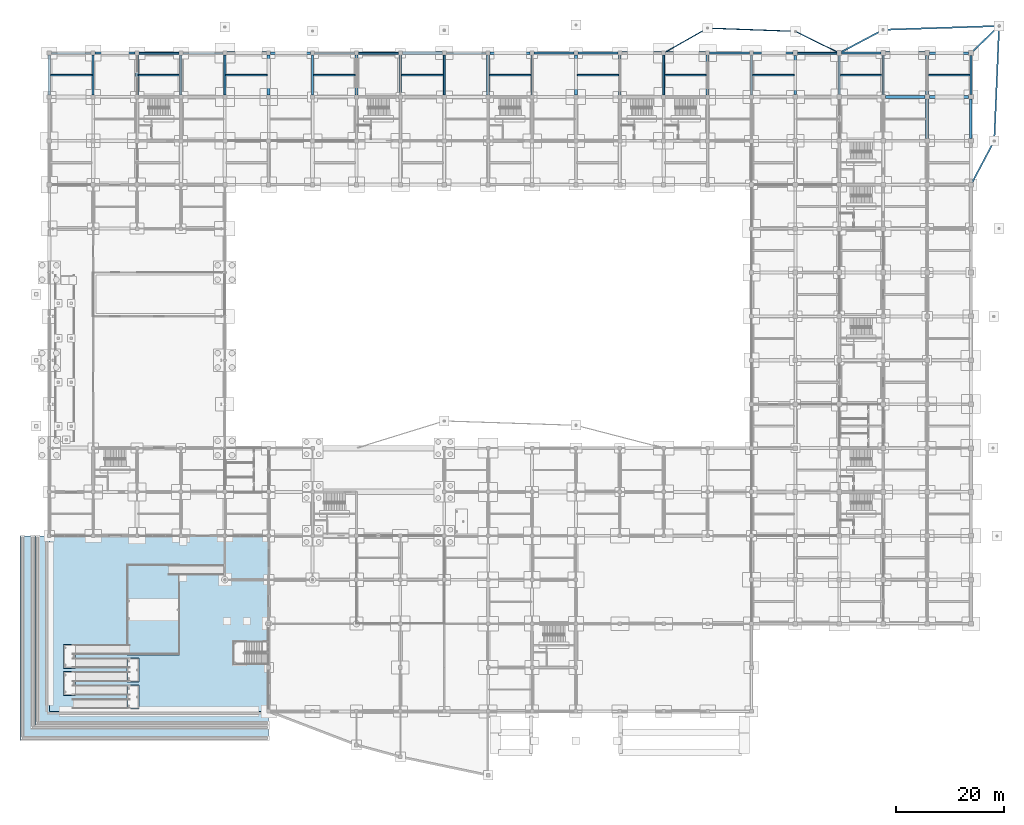
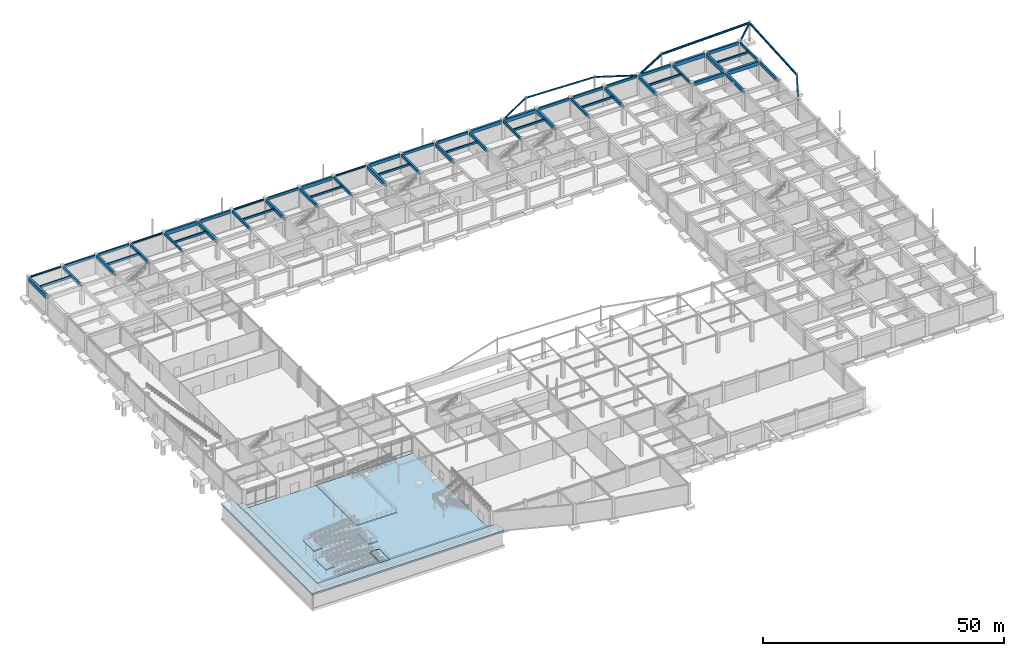
# One storey, part 42 of 67: 66 beams, 8 slabs.
"""IFC4 building model written with IfcOpenShell, lengths in metres."""

from ifc_helpers import new_model, si_unit, direction, frame, origin, origin_2d, place, context, subcontext, project, spatial, polyline, rectangle, hollow_rectangle, i_section, outline, extrude, material, layer, layer_set, material_profile, profile_set, type_object, element, save


model = new_model("IFC4")

# Units and contexts
model_context = context("Model", 3, precision=1e-05, world=origin(), true_north=direction((0.0, 1.0)))
body_context = subcontext(model_context, "Body", "Model", "MODEL_VIEW")
ifc_project = project(units=[si_unit("LENGTHUNIT", "METRE"), si_unit("AREAUNIT", "SQUARE_METRE"), si_unit("VOLUMEUNIT", "CUBIC_METRE"), si_unit("PLANEANGLEUNIT", "RADIAN"), si_unit("MASSUNIT", "GRAM", prefix="KILO")], contexts=[model_context])

# Site, building, storey
site_placement = place(None, origin())
site = spatial("IfcSite", under=ifc_project, at=site_placement, CompositionType="ELEMENT")
building_placement = place(site_placement, origin())
building = spatial("IfcBuilding", under=site, at=building_placement, Name="Vaudrelin Polytechnic", CompositionType="ELEMENT")
storey_placement = place(building_placement, frame((0.0, 0.0, -5.10009765625)))
storey = spatial("IfcBuildingStorey", under=building, at=storey_placement, Name="B1", CompositionType="ELEMENT", Elevation=-5.10009765625)

# Beams
ifc_material_1 = material(Name="Concrete 40 MPa", Category="concrete")
ifc_material_profile_1 = material_profile(ifc_material_1, rectangle(XDim=0.35009765625, YDim=0.60009765625, at=origin_2d()), Name="RC350x600")
ifc_profile_set_1 = profile_set([ifc_material_profile_1], Name="Concrete 40 MPa")
beam_type_1 = type_object("IfcBeamType", Name="BM-BM-RC3560", PredefinedType="BEAM", material=ifc_profile_set_1)
for number, where, z_axis, x_axis, name in (
    (1, (32.39990234375, 113.760009765625, 4.47998046875), (0.0, 1.0, 0.0), (-1.0, 0.0, 0.0), "B1 Y-beam 5-15"),
    (2, (72.89990234375, 113.760009765625, 4.47998046875), (0.0, 1.0, 0.0), (-1.0, 0.0, 0.0), "B1 Y-beam 10-15"),
    (3, (113.39990234375, 113.760009765625, 4.47998046875), (0.0, 1.0, 0.0), (-1.0, 0.0, 0.0), "B1 Y-beam 15-15"),
):
    element("IfcBeam", number, at=place(storey_placement, frame(where, z_axis=z_axis, x_axis=x_axis)), inside=storey, type_object=beam_type_1, Name=name, PredefinedType="BEAM", context=body_context, shape_type="SweptSolid", body=[
        extrude(rectangle(XDim=0.35009765625, YDim=0.60009765625, at=origin_2d()), origin(), (0.0, 0.0, 1.0), 7.3798828125),
    ])
beam_1_placement = place(storey_placement, frame((153.89990234375, 113.81005859375, 4.47998046875), z_axis=(0.0, 1.0, 0.0), x_axis=(-1.0, 0.0, 0.0)))
element("IfcBeam", 4, at=beam_1_placement, inside=storey, type_object=beam_type_1, Name="B1 Y-beam 20-15", PredefinedType="BEAM", context=body_context, shape_type="SweptSolid", body=[
    extrude(rectangle(XDim=0.35009765625, YDim=0.60009765625, at=origin_2d()), origin(), (0.0, 0.0, 1.0), 7.280029296875),
])
for number, where, z_axis, x_axis, name in (
    (5, (16.571044921875, 121.5, 4.47998046875), (1.0, 0.0, 0.0), (0.0, 1.0, 0.0), "B1 X-beam 3-16"),
    (6, (57.071044921875, 121.5, 4.47998046875), (1.0, 0.0, 0.0), (0.0, 1.0, 0.0), "B1 X-beam 8-16"),
):
    element("IfcBeam", number, at=place(storey_placement, frame(where, z_axis=z_axis, x_axis=x_axis)), inside=storey, type_object=beam_type_1, Name=name, PredefinedType="BEAM", context=body_context, shape_type="SweptSolid", body=[
        extrude(rectangle(XDim=0.35009765625, YDim=0.60009765625, at=origin_2d()), origin(), (0.0, 0.0, 1.0), 7.35791015625),
    ])
beam_2_placement = place(storey_placement, frame((138.12109375, 121.5, 4.47998046875), z_axis=(1.0, 0.0, 0.0), x_axis=(0.0, 1.0, 0.0)))
element("IfcBeam", 7, at=beam_2_placement, inside=storey, type_object=beam_type_1, Name="B1 X-beam 18-16", PredefinedType="BEAM", context=body_context, shape_type="SweptSolid", body=[
    extrude(rectangle(XDim=0.35009765625, YDim=0.60009765625, at=origin_2d()), origin(), (0.0, 0.0, 1.0), 7.2578125),
])
ifc_material_profile_2 = material_profile(ifc_material_1, rectangle(XDim=0.39990234375, YDim=0.64990234375, at=origin_2d()), Name="RC400x650")
ifc_profile_set_2 = profile_set([ifc_material_profile_2], Name="Concrete 40 MPa")
beam_type_2 = type_object("IfcBeamType", Name="BM-BM-RC4065", PredefinedType="BEAM", material=ifc_profile_set_2)
for number, where, z_axis, x_axis, name in (
    (8, (8.10009765625, 113.760009765625, 4.455078125), (0.0, 1.0, 0.0), (-1.0, 0.0, 0.0), "B1 Y-beam 2-15"),
    (9, (48.60009765625, 113.760009765625, 4.455078125), (0.0, 1.0, 0.0), (-1.0, 0.0, 0.0), "B1 Y-beam 7-15"),
    (10, (89.10009765625, 113.760009765625, 4.455078125), (0.0, 1.0, 0.0), (-1.0, 0.0, 0.0), "B1 Y-beam 12-15"),
    (11, (129.60009765625, 113.760009765625, 4.455078125), (0.0, 1.0, 0.0), (-1.0, 0.0, 0.0), "B1 Y-beam 17-15"),
):
    element("IfcBeam", number, at=place(storey_placement, frame(where, z_axis=z_axis, x_axis=x_axis)), inside=storey, type_object=beam_type_2, Name=name, PredefinedType="BEAM", context=body_context, shape_type="SweptSolid", body=[
        extrude(rectangle(XDim=0.39990234375, YDim=0.64990234375, at=origin_2d()), origin(), (0.0, 0.0, 1.0), 7.3798828125),
    ])
beam_3_placement = place(storey_placement, frame((170.10009765625, 113.81005859375, 4.455078125), z_axis=(0.0, 1.0, 0.0), x_axis=(-1.0, 0.0, 0.0)))
element("IfcBeam", 12, at=beam_3_placement, inside=storey, type_object=beam_type_2, Name="B1 Y-beam 22-15", PredefinedType="BEAM", context=body_context, shape_type="SweptSolid", body=[
    extrude(rectangle(XDim=0.39990234375, YDim=0.64990234375, at=origin_2d()), origin(), (0.0, 0.0, 1.0), 7.280029296875),
])
for number, where, z_axis, x_axis, name in (
    (13, (8.470947265625, 121.5, 4.455078125), (1.0, 0.0, 0.0), (0.0, 1.0, 0.0), "B1 X-beam 2-16"),
    (14, (89.470947265625, 121.5, 4.455078125), (1.0, 0.0, 0.0), (0.0, 1.0, 0.0), "B1 X-beam 12-16"),
):
    element("IfcBeam", number, at=place(storey_placement, frame(where, z_axis=z_axis, x_axis=x_axis)), inside=storey, type_object=beam_type_2, Name=name, PredefinedType="BEAM", context=body_context, shape_type="SweptSolid", body=[
        extrude(rectangle(XDim=0.39990234375, YDim=0.64990234375, at=origin_2d()), origin(), (0.0, 0.0, 1.0), 7.358154296875),
    ])
beam_4_placement = place(storey_placement, frame((129.970947265625, 121.5, 4.455078125), z_axis=(1.0, 0.0, 0.0), x_axis=(0.0, 1.0, 0.0)))
element("IfcBeam", 15, at=beam_4_placement, inside=storey, type_object=beam_type_2, Name="B1 X-beam 17-16", PredefinedType="BEAM", context=body_context, shape_type="SweptSolid", body=[
    extrude(rectangle(XDim=0.39990234375, YDim=0.64990234375, at=origin_2d()), origin(), (0.0, 0.0, 1.0), 7.30810546875),
])
ifc_material_profile_3 = material_profile(ifc_material_1, rectangle(XDim=0.449951171875, YDim=0.75, at=origin_2d()), Name="RC450x750")
ifc_profile_set_3 = profile_set([ifc_material_profile_3], Name="Concrete 40 MPa")
beam_type_3 = type_object("IfcBeamType", Name="BM-BM-RC4575", PredefinedType="BEAM", material=ifc_profile_set_3)
for number, where, z_axis, x_axis, name in (
    (16, (24.300048828125, 113.760009765625, 4.405029296875), (0.0, 1.0, 0.0), (-1.0, 0.0, 0.0), "B1 Y-beam 4-15"),
    (17, (64.800048828125, 113.760009765625, 4.405029296875), (0.0, 1.0, 0.0), (-1.0, 0.0, 0.0), "B1 Y-beam 9-15"),
    (18, (105.300048828125, 113.760009765625, 4.405029296875), (0.0, 1.0, 0.0), (-1.0, 0.0, 0.0), "B1 Y-beam 14-15"),
):
    element("IfcBeam", number, at=place(storey_placement, frame(where, z_axis=z_axis, x_axis=x_axis)), inside=storey, type_object=beam_type_3, Name=name, PredefinedType="BEAM", context=body_context, shape_type="SweptSolid", body=[
        extrude(rectangle(XDim=0.449951171875, YDim=0.75, at=origin_2d()), origin(), (0.0, 0.0, 1.0), 7.3798828125),
    ])
for number, where, z_axis, x_axis, name in (
    (19, (145.800048828125, 113.81005859375, 4.405029296875), (0.0, 1.0, 0.0), (-1.0, 0.0, 0.0), "B1 Y-beam 19-15"),
    (20, (170.10009765625, 105.7099609375, 4.405029296875), (0.0, 1.0, 0.0), (-1.0, 0.0, 0.0), "B1 Y-beam 22-14"),
):
    element("IfcBeam", number, at=place(storey_placement, frame(where, z_axis=z_axis, x_axis=x_axis)), inside=storey, type_object=beam_type_3, Name=name, PredefinedType="BEAM", context=body_context, shape_type="SweptSolid", body=[
        extrude(rectangle(XDim=0.449951171875, YDim=0.75, at=origin_2d()), origin(), (0.0, 0.0, 1.0), 7.280029296875),
    ])
for number, where, z_axis, x_axis, name in (
    (21, (40.87109375, 121.5, 4.405029296875), (1.0, 0.0, 0.0), (0.0, 1.0, 0.0), "B1 X-beam 6-16"),
    (22, (81.37109375, 121.5, 4.405029296875), (1.0, 0.0, 0.0), (0.0, 1.0, 0.0), "B1 X-beam 11-16"),
):
    element("IfcBeam", number, at=place(storey_placement, frame(where, z_axis=z_axis, x_axis=x_axis)), inside=storey, type_object=beam_type_3, Name=name, PredefinedType="BEAM", context=body_context, shape_type="SweptSolid", body=[
        extrude(rectangle(XDim=0.449951171875, YDim=0.75, at=origin_2d()), origin(), (0.0, 0.0, 1.0), 7.35791015625),
    ])
beam_5_placement = place(storey_placement, frame((162.4208984375, 121.5, 4.405029296875), z_axis=(1.0, 0.0, 0.0), x_axis=(0.0, 1.0, 0.0)))
element("IfcBeam", 23, at=beam_5_placement, inside=storey, type_object=beam_type_3, Name="B1 X-beam 21-16", PredefinedType="BEAM", context=body_context, shape_type="SweptSolid", body=[
    extrude(rectangle(XDim=0.449951171875, YDim=0.75, at=origin_2d()), origin(), (0.0, 0.0, 1.0), 7.258056640625),
])
ifc_material_profile_4 = material_profile(ifc_material_1, rectangle(XDim=0.5, YDim=0.85009765625, at=origin_2d()), Name="RC500x850")
ifc_profile_set_4 = profile_set([ifc_material_profile_4], Name="Concrete 40 MPa")
beam_type_4 = type_object("IfcBeamType", Name="BM-BM-RC5085", PredefinedType="BEAM", material=ifc_profile_set_4)
for number, where, z_axis, x_axis, name in (
    (24, (16.199951171875, 113.760009765625, 4.35498046875), (0.0, 1.0, 0.0), (-1.0, 0.0, 0.0), "B1 Y-beam 3-15"),
    (25, (56.699951171875, 113.760009765625, 4.35498046875), (0.0, 1.0, 0.0), (-1.0, 0.0, 0.0), "B1 Y-beam 8-15"),
    (26, (97.199951171875, 113.760009765625, 4.35498046875), (0.0, 1.0, 0.0), (-1.0, 0.0, 0.0), "B1 Y-beam 13-15"),
):
    element("IfcBeam", number, at=place(storey_placement, frame(where, z_axis=z_axis, x_axis=x_axis)), inside=storey, type_object=beam_type_4, Name=name, PredefinedType="BEAM", context=body_context, shape_type="SweptSolid", body=[
        extrude(rectangle(XDim=0.5, YDim=0.85009765625, at=origin_2d()), origin(), (0.0, 0.0, 1.0), 7.3798828125),
    ])
for number, where, z_axis, x_axis, name in (
    (27, (137.699951171875, 113.81005859375, 4.35498046875), (0.0, 1.0, 0.0), (-1.0, 0.0, 0.0), "B1 Y-beam 18-15"),
    (28, (162.0, 105.7099609375, 4.35498046875), (0.0, 1.0, 0.0), (-1.0, 0.0, 0.0), "B1 Y-beam 21-14"),
):
    element("IfcBeam", number, at=place(storey_placement, frame(where, z_axis=z_axis, x_axis=x_axis)), inside=storey, type_object=beam_type_4, Name=name, PredefinedType="BEAM", context=body_context, shape_type="SweptSolid", body=[
        extrude(rectangle(XDim=0.5, YDim=0.85009765625, at=origin_2d()), origin(), (0.0, 0.0, 1.0), 7.280029296875),
    ])
for number, where, z_axis, x_axis, name in (
    (29, (65.1708984375, 121.5, 4.35498046875), (1.0, 0.0, 0.0), (0.0, 1.0, 0.0), "B1 X-beam 9-16"),
    (30, (105.6708984375, 121.5, 4.35498046875), (1.0, 0.0, 0.0), (0.0, 1.0, 0.0), "B1 X-beam 14-16"),
):
    element("IfcBeam", number, at=place(storey_placement, frame(where, z_axis=z_axis, x_axis=x_axis)), inside=storey, type_object=beam_type_4, Name=name, PredefinedType="BEAM", context=body_context, shape_type="SweptSolid", body=[
        extrude(rectangle(XDim=0.5, YDim=0.85009765625, at=origin_2d()), origin(), (0.0, 0.0, 1.0), 7.358154296875),
    ])
beam_6_placement = place(storey_placement, frame((154.321044921875, 113.39990234375, 4.35498046875), z_axis=(1.0, 0.0, 0.0), x_axis=(0.0, 1.0, 0.0)))
element("IfcBeam", 31, at=beam_6_placement, inside=storey, type_object=beam_type_4, Name="B1 X-beam 20-15", PredefinedType="BEAM", context=body_context, shape_type="SweptSolid", body=[
    extrude(rectangle(XDim=0.5, YDim=0.85009765625, at=origin_2d()), origin(), (0.0, 0.0, 1.0), 7.258056640625),
])
ifc_material_2 = material(Name="Concrete 50 MPa", Category="concrete")
ifc_material_profile_5 = material_profile(ifc_material_2, rectangle(XDim=0.550048828125, YDim=0.949951171875, at=origin_2d()), Name="RC550x950")
ifc_profile_set_5 = profile_set([ifc_material_profile_5], Name="Concrete 50 MPa")
beam_type_5 = type_object("IfcBeamType", Name="BM-BM-RC5595", PredefinedType="BEAM", material=ifc_profile_set_5)
for number, where, z_axis, x_axis, name in (
    (32, (0.0, 113.760009765625, 4.30517578125), (0.0, 1.0, 0.0), (-1.0, 0.0, 0.0), "B1 Y-beam 1-15"),
    (33, (40.5, 113.760009765625, 4.30517578125), (0.0, 1.0, 0.0), (-1.0, 0.0, 0.0), "B1 Y-beam 6-15"),
    (34, (81.0, 113.760009765625, 4.30517578125), (0.0, 1.0, 0.0), (-1.0, 0.0, 0.0), "B1 Y-beam 11-15"),
    (35, (121.5, 113.760009765625, 4.30517578125), (0.0, 1.0, 0.0), (-1.0, 0.0, 0.0), "B1 Y-beam 16-15"),
):
    element("IfcBeam", number, at=place(storey_placement, frame(where, z_axis=z_axis, x_axis=x_axis)), inside=storey, type_object=beam_type_5, Name=name, PredefinedType="BEAM", context=body_context, shape_type="SweptSolid", body=[
        extrude(rectangle(XDim=0.550048828125, YDim=0.949951171875, at=origin_2d()), origin(), (0.0, 0.0, 1.0), 7.3798828125),
    ])
beam_7_placement = place(storey_placement, frame((162.0, 113.81005859375, 4.30517578125), z_axis=(0.0, 1.0, 0.0), x_axis=(-1.0, 0.0, 0.0)))
element("IfcBeam", 36, at=beam_7_placement, inside=storey, type_object=beam_type_5, Name="B1 Y-beam 21-15", PredefinedType="BEAM", context=body_context, shape_type="SweptSolid", body=[
    extrude(rectangle(XDim=0.550048828125, YDim=0.949951171875, at=origin_2d()), origin(), (0.0, 0.0, 1.0), 7.280029296875),
])
for number, where, z_axis, x_axis, name in (
    (37, (32.77099609375, 121.5, 4.30517578125), (1.0, 0.0, 0.0), (0.0, 1.0, 0.0), "B1 X-beam 5-16"),
    (38, (113.77099609375, 121.5, 4.30517578125), (1.0, 0.0, 0.0), (0.0, 1.0, 0.0), "B1 X-beam 15-16"),
):
    element("IfcBeam", number, at=place(storey_placement, frame(where, z_axis=z_axis, x_axis=x_axis)), inside=storey, type_object=beam_type_5, Name=name, PredefinedType="BEAM", context=body_context, shape_type="SweptSolid", body=[
        extrude(rectangle(XDim=0.550048828125, YDim=0.949951171875, at=origin_2d()), origin(), (0.0, 0.0, 1.0), 7.35791015625),
    ])
for number, where, z_axis, x_axis, name in (
    (39, (154.321044921875, 121.5, 4.30517578125), (1.0, 0.0, 0.0), (0.0, 1.0, 0.0), "B1 X-beam 20-16"),
    (40, (162.4208984375, 113.39990234375, 4.30517578125), (1.0, 0.0, 0.0), (0.0, 1.0, 0.0), "B1 X-beam 21-15"),
):
    element("IfcBeam", number, at=place(storey_placement, frame(where, z_axis=z_axis, x_axis=x_axis)), inside=storey, type_object=beam_type_5, Name=name, PredefinedType="BEAM", context=body_context, shape_type="SweptSolid", body=[
        extrude(rectangle(XDim=0.550048828125, YDim=0.949951171875, at=origin_2d()), origin(), (0.0, 0.0, 1.0), 7.258056640625),
    ])
ifc_material_3 = material(Name="Steel CSA G40.21 350WT", Category="steel")
ifc_material_profile_6 = material_profile(ifc_material_3, i_section(OverallWidth=0.260009765625, OverallDepth=0.4150390625, WebThickness=0.010009765625, FlangeThickness=0.016845703125, FilletRadius=0.01611328125, at=origin_2d()), Name="W410x100")
ifc_profile_set_6 = profile_set([ifc_material_profile_6], Name="Steel CSA G40.21 350WT")
beam_type_6 = type_object("IfcBeamType", Name="BM-BM-W410H", PredefinedType="SPANDREL", material=ifc_profile_set_6)
beam_8_placement = place(storey_placement, frame((0.37109375, 121.5, 4.572509765625), z_axis=(1.0, 0.0, 0.0), x_axis=(0.0, 1.0, 0.0)))
element("IfcBeam", 41, at=beam_8_placement, inside=storey, type_object=beam_type_6, Name="B1 X-beam 1-16", PredefinedType="SPANDREL", context=body_context, shape_type="SweptSolid", body=[
    extrude(i_section(OverallWidth=0.260009765625, OverallDepth=0.4150390625, WebThickness=0.010009765625, FlangeThickness=0.016845703125, FilletRadius=0.01611328125, at=origin_2d()), origin(), (0.0, 0.0, 1.0), 7.35791015625),
])
for number, where, z_axis, x_axis, name in (
    (42, (24.6708984375, 121.5, 4.572509765625), (1.0, 0.0, 0.0), (0.0, 1.0, 0.0), "B1 X-beam 4-16"),
    (43, (48.970947265625, 121.5, 4.572509765625), (1.0, 0.0, 0.0), (0.0, 1.0, 0.0), "B1 X-beam 7-16"),
):
    element("IfcBeam", number, at=place(storey_placement, frame(where, z_axis=z_axis, x_axis=x_axis)), inside=storey, type_object=beam_type_6, Name=name, PredefinedType="SPANDREL", context=body_context, shape_type="SweptSolid", body=[
        extrude(i_section(OverallWidth=0.260009765625, OverallDepth=0.4150390625, WebThickness=0.010009765625, FlangeThickness=0.016845703125, FilletRadius=0.01611328125, at=origin_2d()), origin(), (0.0, 0.0, 1.0), 7.358154296875),
    ])
beam_9_placement = place(storey_placement, frame((73.27099609375, 121.5, 4.572509765625), z_axis=(1.0, 0.0, 0.0), x_axis=(0.0, 1.0, 0.0)))
element("IfcBeam", 44, at=beam_9_placement, inside=storey, type_object=beam_type_6, Name="B1 X-beam 10-16", PredefinedType="SPANDREL", context=body_context, shape_type="SweptSolid", body=[
    extrude(i_section(OverallWidth=0.260009765625, OverallDepth=0.4150390625, WebThickness=0.010009765625, FlangeThickness=0.016845703125, FilletRadius=0.01611328125, at=origin_2d()), origin(), (0.0, 0.0, 1.0), 7.35791015625),
])
ifc_material_4 = material(Name="Steel CSA G40.21 350W", Category="steel")
ifc_material_profile_7 = material_profile(ifc_material_4, i_section(OverallWidth=0.280029296875, OverallDepth=0.462890625, WebThickness=0.0107421875, FlangeThickness=0.017333984375, FilletRadius=0.01806640625, at=origin_2d()), Name="W460x113")
ifc_profile_set_7 = profile_set([ifc_material_profile_7], Name="Steel CSA G40.21 350W")
beam_type_7 = type_object("IfcBeamType", Name="BM-BM-W460H", PredefinedType="BEAM", material=ifc_profile_set_7)
beam_10_placement = place(storey_placement, frame((145.923583984375, 121.565673828125, 4.548583984375), z_axis=(0.883259671752, 0.468884156542, 0.0), x_axis=(-0.468884156542, 0.883259671752, 0.0)))
element("IfcBeam", 45, at=beam_10_placement, inside=storey, type_object=beam_type_7, Name="Sculptural edge beam B1 NE_BM_1", PredefinedType="BEAM", context=body_context, shape_type="SweptSolid", body=[
    extrude(i_section(OverallWidth=0.280029296875, OverallDepth=0.462890625, WebThickness=0.0107421875, FlangeThickness=0.017333984375, FilletRadius=0.01806640625, at=origin_2d()), origin(), (0.0, 0.0, 1.0), 8.890625),
])
beam_11_placement = place(storey_placement, frame((154.039794921875, 125.8046875, 4.548583984375), z_axis=(0.999465724625, 0.032684328046, 0.0), x_axis=(-0.032684328046, 0.999465724625, 0.0)))
element("IfcBeam", 46, at=beam_11_placement, inside=storey, type_object=beam_type_7, Name="Sculptural edge beam B1 NE_BM_2", PredefinedType="BEAM", context=body_context, shape_type="SweptSolid", body=[
    extrude(i_section(OverallWidth=0.280029296875, OverallDepth=0.462890625, WebThickness=0.0107421875, FlangeThickness=0.017333984375, FilletRadius=0.01806640625, at=origin_2d()), origin(), (0.0, 0.0, 1.0), 21.131591796875),
])
beam_12_placement = place(storey_placement, frame((175.294189453125, 126.360107421875, 4.548583984375), z_axis=(-0.042417646122, -0.999099966619, 0.0), x_axis=(0.999099966619, -0.042417646122, 0.0)))
element("IfcBeam", 47, at=beam_12_placement, inside=storey, type_object=beam_type_7, Name="Sculptural edge beam B1 NE_BM_3", PredefinedType="BEAM", context=body_context, shape_type="SweptSolid", body=[
    extrude(i_section(OverallWidth=0.280029296875, OverallDepth=0.462890625, WebThickness=0.0107421875, FlangeThickness=0.017333984375, FilletRadius=0.01806640625, at=origin_2d()), origin(), (0.0, 0.0, 1.0), 20.93896484375),
])
beam_13_placement = place(storey_placement, frame((174.33447265625, 105.17626953125, 4.548583984375), z_axis=(-0.468916952234, -0.883242261165, 0.0), x_axis=(0.883242261165, -0.468916952234, 0.0)))
element("IfcBeam", 48, at=beam_13_placement, inside=storey, type_object=beam_type_7, Name="Sculptural edge beam B1 NE_BM_4", PredefinedType="BEAM", context=body_context, shape_type="SweptSolid", body=[
    extrude(i_section(OverallWidth=0.280029296875, OverallDepth=0.462890625, WebThickness=0.0107421875, FlangeThickness=0.017333984375, FilletRadius=0.01806640625, at=origin_2d()), origin(), (0.0, 0.0, 1.0), 8.890625),
])
beam_14_placement = place(storey_placement, frame((170.200927734375, 121.596923828125, 4.548583984375), z_axis=(0.720825622612, 0.69311645615, 0.0), x_axis=(-0.69311645615, 0.720825622612, 0.0)))
element("IfcBeam", 49, at=beam_14_placement, inside=storey, type_object=beam_type_7, Name="Sculptural edge beam B1 NE_BM_5", PredefinedType="BEAM", context=body_context, shape_type="SweptSolid", body=[
    extrude(i_section(OverallWidth=0.280029296875, OverallDepth=0.462890625, WebThickness=0.0107421875, FlangeThickness=0.017333984375, FilletRadius=0.01806640625, at=origin_2d()), origin(), (0.0, 0.0, 1.0), 6.93408203125),
])
ifc_material_profile_8 = material_profile(ifc_material_1, rectangle(XDim=0.300048828125, YDim=0.5, at=origin_2d()), Name="RC300x500")
ifc_profile_set_8 = profile_set([ifc_material_profile_8], Name="Concrete 40 MPa")
beam_type_8 = type_object("IfcBeamType", Name="BM-JS-RC3050", PredefinedType="JOIST", material=ifc_profile_set_8)
for number, where, z_axis, x_axis, name in (
    (50, (0.27099609375, 117.449951171875, 4.530029296875), (1.0, 0.0, 0.0), (0.0, 1.0, 0.0), "B1 floor joist 1-15"),
    (51, (16.446044921875, 117.449951171875, 4.530029296875), (1.0, 0.0, 0.0), (0.0, 1.0, 0.0), "B1 floor joist 3-15"),
):
    element("IfcBeam", number, at=place(storey_placement, frame(where, z_axis=z_axis, x_axis=x_axis)), inside=storey, type_object=beam_type_8, Name=name, PredefinedType="JOIST", context=body_context, shape_type="SweptSolid", body=[
        extrude(rectangle(XDim=0.300048828125, YDim=0.5, at=origin_2d()), origin(), (0.0, 0.0, 1.0), 7.633056640625),
    ])
beam_15_placement = place(storey_placement, frame((32.571044921875, 117.449951171875, 4.530029296875), z_axis=(1.0, 0.0, 0.0), x_axis=(0.0, 1.0, 0.0)))
element("IfcBeam", 52, at=beam_15_placement, inside=storey, type_object=beam_type_8, Name="B1 floor joist 5-15", PredefinedType="JOIST", context=body_context, shape_type="SweptSolid", body=[
    extrude(rectangle(XDim=0.300048828125, YDim=0.5, at=origin_2d()), origin(), (0.0, 0.0, 1.0), 7.657958984375),
])
beam_16_placement = place(storey_placement, frame((48.7958984375, 117.449951171875, 4.530029296875), z_axis=(1.0, 0.0, 0.0), x_axis=(0.0, 1.0, 0.0)))
element("IfcBeam", 53, at=beam_16_placement, inside=storey, type_object=beam_type_8, Name="B1 floor joist 7-15", PredefinedType="JOIST", context=body_context, shape_type="SweptSolid", body=[
    extrude(rectangle(XDim=0.300048828125, YDim=0.5, at=origin_2d()), origin(), (0.0, 0.0, 1.0), 7.658203125),
])
beam_17_placement = place(storey_placement, frame((65.02099609375, 117.449951171875, 4.530029296875), z_axis=(1.0, 0.0, 0.0), x_axis=(0.0, 1.0, 0.0)))
element("IfcBeam", 54, at=beam_17_placement, inside=storey, type_object=beam_type_8, Name="B1 floor joist 9-15", PredefinedType="JOIST", context=body_context, shape_type="SweptSolid", body=[
    extrude(rectangle(XDim=0.300048828125, YDim=0.5, at=origin_2d()), origin(), (0.0, 0.0, 1.0), 7.7080078125),
])
for number, where, z_axis, x_axis, name in (
    (55, (81.27099609375, 117.449951171875, 4.530029296875), (1.0, 0.0, 0.0), (0.0, 1.0, 0.0), "B1 floor joist 11-15"),
    (56, (97.446044921875, 117.449951171875, 4.530029296875), (1.0, 0.0, 0.0), (0.0, 1.0, 0.0), "B1 floor joist 13-15"),
):
    element("IfcBeam", number, at=place(storey_placement, frame(where, z_axis=z_axis, x_axis=x_axis)), inside=storey, type_object=beam_type_8, Name=name, PredefinedType="JOIST", context=body_context, shape_type="SweptSolid", body=[
        extrude(rectangle(XDim=0.300048828125, YDim=0.5, at=origin_2d()), origin(), (0.0, 0.0, 1.0), 7.633056640625),
    ])
beam_18_placement = place(storey_placement, frame((113.571044921875, 117.449951171875, 4.530029296875), z_axis=(1.0, 0.0, 0.0), x_axis=(0.0, 1.0, 0.0)))
element("IfcBeam", 57, at=beam_18_placement, inside=storey, type_object=beam_type_8, Name="B1 floor joist 15-15", PredefinedType="JOIST", context=body_context, shape_type="SweptSolid", body=[
    extrude(rectangle(XDim=0.300048828125, YDim=0.5, at=origin_2d()), origin(), (0.0, 0.0, 1.0), 7.657958984375),
])
beam_19_placement = place(storey_placement, frame((129.7958984375, 117.449951171875, 4.530029296875), z_axis=(1.0, 0.0, 0.0), x_axis=(0.0, 1.0, 0.0)))
element("IfcBeam", 58, at=beam_19_placement, inside=storey, type_object=beam_type_8, Name="B1 floor joist 17-15", PredefinedType="JOIST", context=body_context, shape_type="SweptSolid", body=[
    extrude(rectangle(XDim=0.300048828125, YDim=0.5, at=origin_2d()), origin(), (0.0, 0.0, 1.0), 7.658203125),
])
beam_20_placement = place(storey_placement, frame((146.02099609375, 117.449951171875, 4.530029296875), z_axis=(1.0, 0.0, 0.0), x_axis=(0.0, 1.0, 0.0)))
element("IfcBeam", 59, at=beam_20_placement, inside=storey, type_object=beam_type_8, Name="B1 floor joist 19-15", PredefinedType="JOIST", context=body_context, shape_type="SweptSolid", body=[
    extrude(rectangle(XDim=0.300048828125, YDim=0.5, at=origin_2d()), origin(), (0.0, 0.0, 1.0), 7.7080078125),
])
beam_21_placement = place(storey_placement, frame((162.27099609375, 117.449951171875, 4.530029296875), z_axis=(1.0, 0.0, 0.0), x_axis=(0.0, 1.0, 0.0)))
element("IfcBeam", 60, at=beam_21_placement, inside=storey, type_object=beam_type_8, Name="B1 floor joist 21-15", PredefinedType="JOIST", context=body_context, shape_type="SweptSolid", body=[
    extrude(rectangle(XDim=0.300048828125, YDim=0.5, at=origin_2d()), origin(), (0.0, 0.0, 1.0), 7.633056640625),
])
ifc_material_profile_9 = material_profile(ifc_material_3, hollow_rectangle(XDim=0.202880859375, YDim=0.35595703125, WallThickness=0.0126953125, InnerFilletRadius=0.0126953125, OuterFilletRadius=0.025390625, at=origin_2d()), Name="HSS356x203x12.7")
ifc_profile_set_9 = profile_set([ifc_material_profile_9], Name="Steel CSA G40.21 350WT")
beam_type_9 = type_object("IfcBeamType", Name="BM-SP-HSS35", PredefinedType="SPANDREL", material=ifc_profile_set_9)
beam_22_placement = place(storey_placement, frame((113.521728515625, 121.569091796875, 4.60205078125), z_axis=(0.869557036598, 0.493832522322, 0.0), x_axis=(-0.493832522322, 0.869557036598, 0.0)))
element("IfcBeam", 61, at=beam_22_placement, inside=storey, type_object=beam_type_9, Name="Sculptural edge beam B1 N_OR3_B1", PredefinedType="SPANDREL", context=body_context, shape_type="SweptSolid", body=[
    extrude(hollow_rectangle(XDim=0.202880859375, YDim=0.35595703125, WallThickness=0.0126953125, InnerFilletRadius=0.0126953125, OuterFilletRadius=0.025390625, at=origin_2d()), origin(), (0.0, 0.0, 1.0), 9.03515625),
])
beam_23_placement = place(storey_placement, frame((121.639892578125, 126.0947265625, 4.60205078125), z_axis=(0.999314917736, -0.037009393279, 0.0), x_axis=(0.037009393279, 0.999314917736, 0.0)))
element("IfcBeam", 62, at=beam_23_placement, inside=storey, type_object=beam_type_9, Name="Sculptural edge beam B1 N_OR3_B2", PredefinedType="SPANDREL", context=body_context, shape_type="SweptSolid", body=[
    extrude(hollow_rectangle(XDim=0.202880859375, YDim=0.35595703125, WallThickness=0.0126953125, InnerFilletRadius=0.0126953125, OuterFilletRadius=0.025390625, at=origin_2d()), origin(), (0.0, 0.0, 1.0), 15.93115234375),
])
beam_24_placement = place(storey_placement, frame((137.825439453125, 125.43798828125, 4.60205078125), z_axis=(0.896636147208, -0.44276813291, 0.0), x_axis=(0.44276813291, 0.896636147208, 0.0)))
element("IfcBeam", 63, at=beam_24_placement, inside=storey, type_object=beam_type_9, Name="Sculptural edge beam B1 N_OR3_B3", PredefinedType="SPANDREL", context=body_context, shape_type="SweptSolid", body=[
    extrude(hollow_rectangle(XDim=0.202880859375, YDim=0.35595703125, WallThickness=0.0126953125, InnerFilletRadius=0.0126953125, OuterFilletRadius=0.025390625, at=origin_2d()), origin(), (0.0, 0.0, 1.0), 8.75390625),
])
ifc_material_profile_10 = material_profile(ifc_material_1, rectangle(XDim=0.39990234375, YDim=0.64990234375, at=origin_2d()), Name="RC400x650")
ifc_profile_set_10 = profile_set([ifc_material_profile_10], Name="Concrete 40 MPa")
beam_type_10 = type_object("IfcBeamType", Name="BM-SP-RC4065", PredefinedType="SPANDREL", material=ifc_profile_set_10)
for number, where, z_axis, x_axis, name in (
    (64, (97.571044921875, 121.5, 4.455078125), (1.0, 0.0, 0.0), (0.0, 1.0, 0.0), "B1 X-beam 13-16"),
    (65, (121.87109375, 121.5, 4.455078125), (1.0, 0.0, 0.0), (0.0, 1.0, 0.0), "B1 X-beam 16-16"),
):
    element("IfcBeam", number, at=place(storey_placement, frame(where, z_axis=z_axis, x_axis=x_axis)), inside=storey, type_object=beam_type_10, Name=name, PredefinedType="SPANDREL", context=body_context, shape_type="SweptSolid", body=[
        extrude(rectangle(XDim=0.39990234375, YDim=0.64990234375, at=origin_2d()), origin(), (0.0, 0.0, 1.0), 7.35791015625),
    ])
beam_25_placement = place(storey_placement, frame((146.220947265625, 121.5, 4.455078125), z_axis=(1.0, 0.0, 0.0), x_axis=(0.0, 1.0, 0.0)))
element("IfcBeam", 66, at=beam_25_placement, inside=storey, type_object=beam_type_10, Name="B1 X-beam 19-16", PredefinedType="SPANDREL", context=body_context, shape_type="SweptSolid", body=[
    extrude(rectangle(XDim=0.39990234375, YDim=0.64990234375, at=origin_2d()), origin(), (0.0, 0.0, 1.0), 7.258056640625),
])

# Slabs
ifc_material_5 = material(Name="Concrete 35 MPa", Category="concrete")
ifc_layer_1 = layer(ifc_material_5, 0.340087890625)
ifc_layer_set_1 = layer_set([ifc_layer_1], Name="Concrete 35 MPa")
slab_type_1 = type_object("IfcSlabType", Name="SLB-RLND340", PredefinedType="LANDING", material=ifc_layer_set_1)
slab_1_placement = place(storey_placement, frame((0.0, 0.0, 0.510009765625)))
element("IfcSlab", 67, at=slab_1_placement, inside=storey, type_object=slab_type_1, Name="Forecourt ramp landing 1", PredefinedType="LANDING", context=body_context, shape_type="SweptSolid", body=[
    extrude(outline(polyline([(14.35009765625, 0.419921875), (16.550048828125, 0.419921875), (16.550048828125, 4.8798828125), (14.35009765625, 4.8798828125), (14.35009765625, 0.419921875)])), origin(), (0.0, 0.0, 1.0), 0.340087890625),
])
slab_2_placement = place(storey_placement, frame((0.0, 0.0, 1.360107421875)))
element("IfcSlab", 68, at=slab_2_placement, inside=storey, type_object=slab_type_1, Name="Forecourt ramp landing 2", PredefinedType="LANDING", context=body_context, shape_type="SweptSolid", body=[
    extrude(outline(polyline([(2.64990234375, 2.919921875), (4.85009765625, 2.919921875), (4.85009765625, 7.3798828125), (2.64990234375, 7.3798828125), (2.64990234375, 2.919921875)])), origin(), (0.0, 0.0, 1.0), 0.340087890625),
])
slab_3_placement = place(storey_placement, frame((0.0, 0.0, 2.210205078125)))
element("IfcSlab", 69, at=slab_3_placement, inside=storey, type_object=slab_type_1, Name="Forecourt ramp landing 3", PredefinedType="LANDING", context=body_context, shape_type="SweptSolid", body=[
    extrude(outline(polyline([(14.35009765625, 5.419921875), (16.550048828125, 5.419921875), (16.550048828125, 9.8798828125), (14.35009765625, 9.8798828125), (14.35009765625, 5.419921875)])), origin(), (0.0, 0.0, 1.0), 0.33984375),
])
slab_4_placement = place(storey_placement, frame((0.0, 0.0, 3.06005859375)))
element("IfcSlab", 70, at=slab_4_placement, inside=storey, type_object=slab_type_1, Name="Forecourt ramp landing 4", PredefinedType="LANDING", context=body_context, shape_type="SweptSolid", body=[
    extrude(outline(polyline([(2.64990234375, 7.919921875), (4.85009765625, 7.919921875), (4.85009765625, 12.3798828125), (2.64990234375, 12.3798828125), (2.64990234375, 7.919921875)])), origin(), (0.0, 0.0, 1.0), 0.340087890625),
])
slab_5_placement = place(storey_placement, frame((0.0, 0.0, 3.91015625)))
element("IfcSlab", 71, at=slab_5_placement, inside=storey, type_object=slab_type_1, Name="Forecourt ramp landing 5", PredefinedType="LANDING", context=body_context, shape_type="SweptSolid", body=[
    extrude(outline(polyline([(14.35009765625, 10.419921875), (24.050048828125, 10.419921875), (24.050048828125, 27.080078125), (14.35009765625, 27.080078125), (14.35009765625, 10.419921875)])), origin(), (0.0, 0.0, 1.0), 0.33984375),
])
ifc_layer_2 = layer(ifc_material_5, 0.449951171875)
ifc_layer_set_2 = layer_set([ifc_layer_2], Name="Concrete 35 MPa")
slab_type_2 = type_object("IfcSlabType", Name="SLB-SL-B450", PredefinedType="BASESLAB", material=ifc_layer_set_2)
slab_6_placement = place(storey_placement, frame((0.0, 0.0, -0.449951171875)))
element("IfcSlab", 72, at=slab_6_placement, inside=storey, type_object=slab_type_2, Name="B1 terrace slab FORECOURT", PredefinedType="BASESLAB", context=body_context, shape_type="SweptSolid", body=[
    extrude(outline(polyline([(0.0, 0.0), (40.5, 0.0), (40.5, 32.39990234375), (0.0, 32.39990234375), (0.0, 0.0)])), origin(), (0.0, 0.0, 1.0), 0.449951171875),
])
slab_7_placement = place(storey_placement, frame((0.0, 0.0, 2.9501953125)))
element("IfcSlab", 73, at=slab_7_placement, inside=storey, type_object=slab_type_2, Name="Metro plaza amphitheatre terrace 1", PredefinedType="BASESLAB", context=body_context, shape_type="SweptSolid", body=[
    extrude(outline(polyline([(-5.39990234375, -5.39990234375), (40.5, -5.39990234375), (40.5, -2.60009765625), (-2.60009765625, -2.60009765625), (-2.60009765625, 32.39990234375), (-5.39990234375, 32.39990234375), (-5.39990234375, -5.39990234375)])), origin(), (0.0, 0.0, 1.0), 0.449951171875),
])
slab_8_placement = place(storey_placement, frame((0.0, 0.0, 1.25)))
element("IfcSlab", 74, at=slab_8_placement, inside=storey, type_object=slab_type_2, Name="Metro plaza amphitheatre terrace 2", PredefinedType="BASESLAB", context=body_context, shape_type="SweptSolid", body=[
    extrude(outline(polyline([(-2.60009765625, -2.60009765625), (40.5, -2.60009765625), (40.5, 0.0), (0.0, 0.0), (0.0, 32.39990234375), (-2.60009765625, 32.39990234375), (-2.60009765625, -2.60009765625)])), origin(), (0.0, 0.0, 1.0), 0.4501953125),
])

save(model, "model.ifc")
